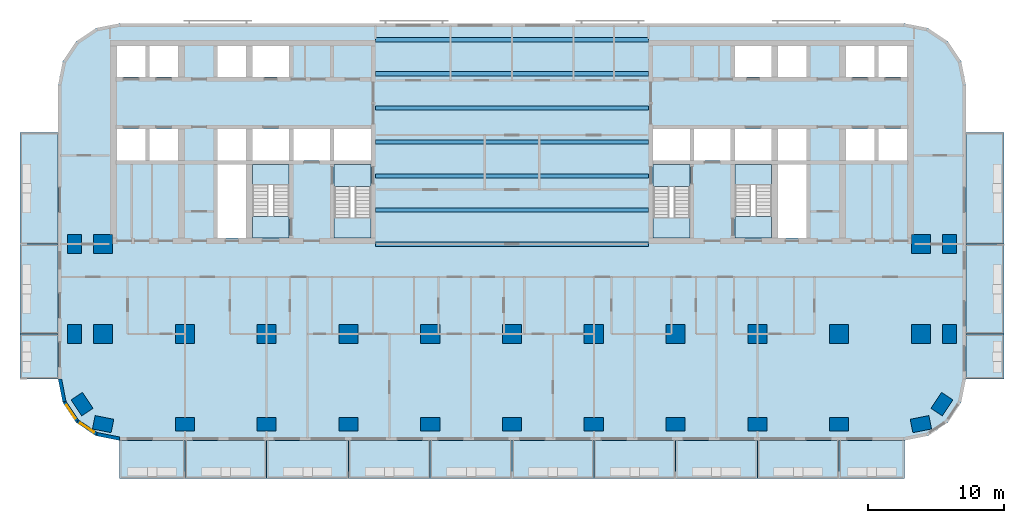
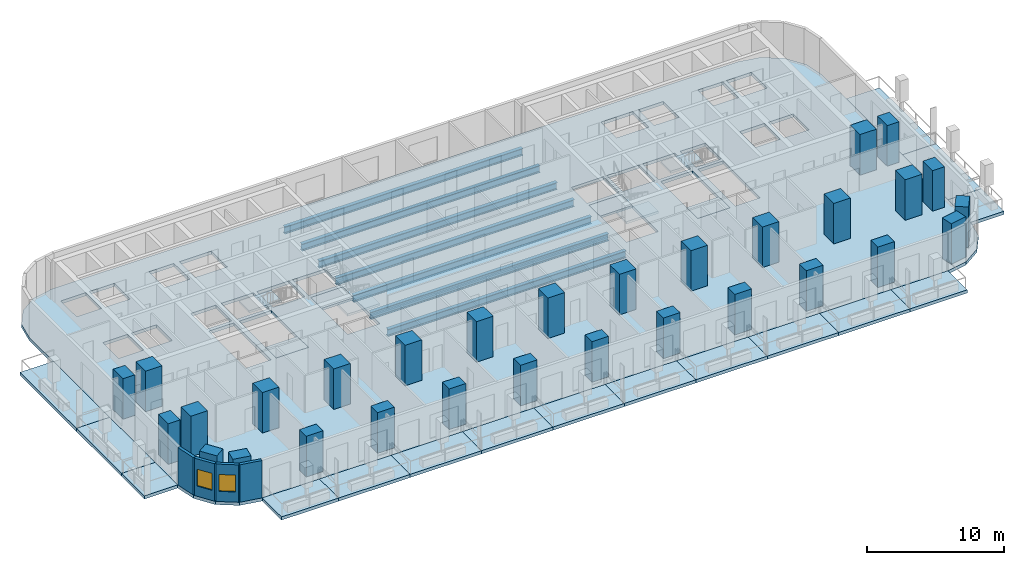
# One storey, part 1 of 14: 30 columns, 25 slabs, 7 beams, 4 walls, 2 windows, 2 openings, 4 elements without a shape of their own.
"""IFC4 building model written with IfcOpenShell, lengths in metres."""

import ifcopenshell
import ifcopenshell.guid

model = None  # the IFC model being written
_history = None  # IfcOwnerHistory: only IFC2X3 demands one
_inside = {}  # id of a spatial element -> (the spatial element, [elements in it])
_under = {}  # id of a project, library or spatial element -> (it, [spatial elements below it])
_declared = {}  # id of a project -> (the project, [libraries it declares])
_typed = {}  # id of a type object -> (the type object, [elements of that type])
_made_of = {}  # id of a material, layer set ... -> (it, [elements and type objects made of it])


def new_model(schema):
    """Start an empty IFC model of exactly this schema.

    Asked for "IFC4X3", IfcOpenShell would pick the latest addendum, in which some entities
    have other attributes; the version numbers below select the first issue.
    IFC2X3 requires an IfcOwnerHistory on every rooted entity: one is made here for all.
    """
    global model, _history
    if schema == "IFC4X3":
        model = ifcopenshell.file(schema_version=(4, 3, 0, 0))
    else:
        model = ifcopenshell.file(schema=schema)
    _inside.clear()
    _under.clear()
    _declared.clear()
    _typed.clear()
    _made_of.clear()
    _history = None
    if model.schema == "IFC2X3":
        org = make("IfcOrganization", Name="unknown")
        user = make(
            "IfcPersonAndOrganization",
            ThePerson=make("IfcPerson", FamilyName="unknown"),
            TheOrganization=org,
        )
        app = make(
            "IfcApplication",
            ApplicationDeveloper=org,
            Version="unknown",
            ApplicationFullName="unknown",
            ApplicationIdentifier="unknown",
        )
        _history = make(
            "IfcOwnerHistory",
            OwningUser=user,
            OwningApplication=app,
            ChangeAction="ADDED",
            CreationDate=0,
        )
    return model


def make(cls, **values):
    """One entity of the class cls with the attributes given. An attribute that is None is left unset."""
    return model.create_entity(
        cls, **{name: value for name, value in values.items() if value is not None}
    )


def rooted(cls, **values):
    """An entity with a GlobalId (a new one), such as an element, a storey or a relation."""
    return make(cls, GlobalId=ifcopenshell.guid.new(), OwnerHistory=_history, **values)


def si_unit(unit_type, name, prefix=None):
    """IfcSIUnit, for example si_unit("LENGTHUNIT", "METRE", prefix="MILLI")."""
    return make("IfcSIUnit", UnitType=unit_type, Prefix=prefix, Name=name)


def assignment(units):
    """IfcUnitAssignment: the units of a project."""
    return None if units is None else make("IfcUnitAssignment", Units=units)


def point(xyz):
    """IfcCartesianPoint."""
    return None if xyz is None else make("IfcCartesianPoint", Coordinates=xyz)


def direction(xyz):
    """IfcDirection."""
    return None if xyz is None else make("IfcDirection", DirectionRatios=xyz)


def frame(location, z_axis=None, x_axis=None):
    """IfcAxis2Placement3D, a coordinate frame: its origin and axes. An axis left out is left unset."""
    return make(
        "IfcAxis2Placement3D",
        Location=point(location),
        Axis=direction(z_axis),
        RefDirection=direction(x_axis),
    )


def frame_2d(location, x_axis=None):
    """IfcAxis2Placement2D, a coordinate frame in the plane: its origin and x axis."""
    return make(
        "IfcAxis2Placement2D", Location=point(location), RefDirection=direction(x_axis)
    )


def origin():
    """The frame at (0, 0, 0) with its axes left unset."""
    return frame((0.0, 0.0, 0.0))


def origin_2d():
    """The frame at (0, 0) in the plane with its x axis left unset."""
    return frame_2d((0.0, 0.0))


def place(relative_to, where):
    """IfcLocalPlacement: puts the frame where relative to a parent placement (None: the world)."""
    return make(
        "IfcLocalPlacement", PlacementRelTo=relative_to, RelativePlacement=where
    )


def context(
    kind, dimensions, precision=None, world=None, true_north=None, identifier=None
):
    """IfcGeometricRepresentationContext, for example the 3D "Model" context."""
    return make(
        "IfcGeometricRepresentationContext",
        ContextIdentifier=identifier,
        ContextType=kind,
        CoordinateSpaceDimension=dimensions,
        Precision=precision,
        WorldCoordinateSystem=world,
        TrueNorth=true_north,
    )


def subcontext(parent, identifier, kind, view, scale=None):
    """IfcGeometricRepresentationSubContext, for example "Body" below "Model"."""
    return make(
        "IfcGeometricRepresentationSubContext",
        ContextIdentifier=identifier,
        ContextType=kind,
        ParentContext=parent,
        TargetScale=scale,
        TargetView=view,
    )


def project(units=None, contexts=None):
    """IfcProject with its units and contexts."""
    return rooted(
        "IfcProject",
        Name="project",
        RepresentationContexts=contexts,
        UnitsInContext=assignment(units),
    )


def spatial(cls, under=None, at=None, **own):
    """A site, building, storey or space (cls), placed at a placement, below another one or the project."""
    s = rooted(cls, ObjectPlacement=at, **own)
    if under is not None:
        _under.setdefault(under.id(), (under, []))[1].append(s)
    return s


def polyline(points):
    """IfcPolyline through the points."""
    return make("IfcPolyline", Points=[point(p) for p in points])


def profile(cls, at=None, kind="AREA", **sizes):
    """A parametric profile (cls). Its sizes go by their IFC names, for example OverallWidth=200.0."""
    return make(cls, ProfileType=kind, Position=at, **sizes)


def rectangle(**sizes):
    """IfcRectangleProfileDef."""
    return profile("IfcRectangleProfileDef", **sizes)


def i_section(**sizes):
    """IfcIShapeProfileDef."""
    return profile("IfcIShapeProfileDef", **sizes)


def outline(outer, holes=None, kind="AREA"):
    """IfcArbitraryClosedProfileDef: a profile drawn as a closed curve; with holes, ...WithVoids."""
    if holes is None:
        return make("IfcArbitraryClosedProfileDef", ProfileType=kind, OuterCurve=outer)
    return make(
        "IfcArbitraryProfileDefWithVoids",
        ProfileType=kind,
        OuterCurve=outer,
        InnerCurves=holes,
    )


def extrude(swept, where, along, depth):
    """IfcExtrudedAreaSolid: the profile swept, set in the frame where, extruded along a direction by depth."""
    return make(
        "IfcExtrudedAreaSolid",
        SweptArea=swept,
        Position=where,
        ExtrudedDirection=direction(along),
        Depth=depth,
    )


def shape(context_of_items, identifier, shape_type, items):
    """IfcShapeRepresentation: the items that make up one representation, for example the "Body"."""
    return make(
        "IfcShapeRepresentation",
        ContextOfItems=context_of_items,
        RepresentationIdentifier=identifier,
        RepresentationType=shape_type,
        Items=items,
    )


def material(Name=None, Category=None):
    """IfcMaterial."""
    return make("IfcMaterial", Name=Name, Category=Category)


def layer(
    of_material, thickness, ventilated=None, Name=None, Category=None, Priority=None
):
    """IfcMaterialLayer: one layer of a wall or slab, of a material (None: an air gap)."""
    return make(
        "IfcMaterialLayer",
        Material=of_material,
        LayerThickness=thickness,
        IsVentilated=ventilated,
        Name=Name,
        Category=Category,
        Priority=Priority,
    )


def layer_set(layers, Name=None):
    """IfcMaterialLayerSet."""
    return make("IfcMaterialLayerSet", MaterialLayers=layers, LayerSetName=Name)


def material_profile(
    of_material, cross_section, Name=None, Category=None, Priority=None
):
    """IfcMaterialProfile: a cross section and its material."""
    return make(
        "IfcMaterialProfile",
        Name=Name,
        Material=of_material,
        Profile=cross_section,
        Priority=Priority,
        Category=Category,
    )


def profile_set(profiles, Name=None, composite=None):
    """IfcMaterialProfileSet."""
    return make(
        "IfcMaterialProfileSet",
        Name=Name,
        MaterialProfiles=profiles,
        CompositeProfile=composite,
    )


def made_of(thing, what):
    """Note that an element or type object is made of a material, layer set ...; save() writes the relation."""
    if what is not None:
        _made_of.setdefault(what.id(), (what, []))[1].append(thing)
    return thing


def type_object(cls, material=None, **own):
    """A type object (cls), such as IfcWallType, which elements share."""
    return made_of(rooted(cls, **own), material)


def element(
    cls,
    number,
    at=None,
    inside=None,
    cuts=None,
    type_object=None,
    material=None,
    context=None,
    identifier="Body",
    shape_type=None,
    held_by="IfcProductDefinitionShape",
    body=None,
    shapes=None,
    **own,
):
    """One element of the class cls, such as IfcWall. Its Tag is "e" and its number.

    at: its placement. inside: the storey or other place that contains it. cuts: it is an
    opening in that element (IfcRelVoidsElement). A single representation is given by context,
    identifier, shape_type and body (its items); several are given by shapes. held_by: the class
    of the entity that holds the representations. save() writes the other relations.
    """
    e = rooted(cls, Tag="e%d" % number, ObjectPlacement=at, **own)
    if body is not None:
        shapes = [shape(context, identifier, shape_type, body)]
    if shapes is not None:
        e.Representation = make(held_by, Representations=shapes)
    if inside is not None:
        _inside.setdefault(inside.id(), (inside, []))[1].append(e)
    if cuts is not None:
        rooted(
            "IfcRelVoidsElement", RelatingBuildingElement=cuts, RelatedOpeningElement=e
        )
    if type_object is not None:
        _typed.setdefault(type_object.id(), (type_object, []))[1].append(e)
    return made_of(e, material)


def fill(opening, filler):
    """IfcRelFillsElement: the door or window that sits in an opening."""
    return rooted(
        "IfcRelFillsElement",
        RelatingOpeningElement=opening,
        RelatedBuildingElement=filler,
    )


def aggregate(whole, parts):
    """IfcRelAggregates: a whole, such as a stair, and the parts it consists of."""
    return rooted("IfcRelAggregates", RelatingObject=whole, RelatedObjects=parts)


def save(model, path):
    """Write the relations noted so far, then the file.

    IfcRelAggregates (storeys below a building ...), IfcRelContainedInSpatialStructure (elements
    in a storey), IfcRelDefinesByType, IfcRelAssociatesMaterial and IfcRelDeclares: one each for
    every whole, place, type object, material and project.
    """
    for whole, parts in _under.values():
        aggregate(whole, parts)
    for where, things in _inside.values():
        rooted(
            "IfcRelContainedInSpatialStructure",
            RelatedElements=things,
            RelatingStructure=where,
        )
    for kind, things in _typed.values():
        rooted("IfcRelDefinesByType", RelatedObjects=things, RelatingType=kind)
    for what, things in _made_of.values():
        rooted("IfcRelAssociatesMaterial", RelatedObjects=things, RelatingMaterial=what)
    for by, libraries in _declared.values():
        rooted("IfcRelDeclares", RelatingContext=by, RelatedDefinitions=libraries)
    model.write(path)


model = new_model("IFC4")

# Units and contexts
model_context = context("Model", 3, precision=1e-05, world=origin(), true_north=direction((0.0, 1.0)))
body_context = subcontext(model_context, "Body", "Model", "MODEL_VIEW")
ifc_project = project(units=[si_unit("LENGTHUNIT", "METRE"), si_unit("AREAUNIT", "SQUARE_METRE"), si_unit("VOLUMEUNIT", "CUBIC_METRE"), si_unit("PLANEANGLEUNIT", "RADIAN"), si_unit("MASSUNIT", "GRAM", prefix="KILO")], contexts=[model_context])

# Site, building, storey
site_placement = place(None, origin())
site = spatial("IfcSite", under=ifc_project, at=site_placement, CompositionType="ELEMENT")
building_placement = place(site_placement, origin())
building = spatial("IfcBuilding", under=site, at=building_placement, Name="Torana Hotel and Residences", CompositionType="ELEMENT")
storey_placement = place(building_placement, frame((0.0, 0.0, 85.199951171875)))
storey = spatial("IfcBuildingStorey", under=building, at=storey_placement, Name="L21", CompositionType="ELEMENT", Elevation=85.199951171875)

# Columns
ifc_material_1 = material(Name="Concrete C70/85", Category="concrete")
ifc_material_profile_1 = material_profile(ifc_material_1, rectangle(XDim=1.39990234375, YDim=1.0, at=origin_2d()), Name="RC 1400x1000")
ifc_profile_set_1 = profile_set([ifc_material_profile_1], Name="Concrete C70/85")
column_type_1 = type_object("IfcColumnType", Name="COLUMN RC 1400x1000 C70/85", PredefinedType="COLUMN", material=ifc_profile_set_1)
for number, where, z_axis, x_axis, name in (
    (1, (-32.10009765625, -21.60009765625, 0.0), (0.0, 0.0, 1.0), (0.0, 1.0, 0.0), "Column L21"),
    (2, (-32.10009765625, -15.0, 0.0), (0.0, 0.0, 1.0), (0.0, 1.0, 0.0), "Column L21"),
    (3, (-31.5439453125, -26.73291015625, 0.0), (0.0, 0.0, 1.0), (-0.555584744817, 0.831459915646, 0.0), "Column L21"),
    (4, (-30.0, -28.199951171875, 0.0), (0.0, 0.0, 1.0), (-0.980792089743, 0.195056086032, 0.0), "Column L21"),
    (5, (-24.0, -28.199951171875, 0.0), (0.0, 0.0, 1.0), (1.0, 0.0, 0.0), "Column L21"),
    (6, (-18.0, -28.199951171875, 0.0), (0.0, 0.0, 1.0), (1.0, 0.0, 0.0), "Column L21"),
    (7, (-12.0, -28.199951171875, 0.0), (0.0, 0.0, 1.0), (1.0, 0.0, 0.0), "Column L21"),
    (8, (-6.0, -28.199951171875, 0.0), (0.0, 0.0, 1.0), (1.0, 0.0, 0.0), "Column L21"),
    (9, (0.0, -28.199951171875, 0.0), (0.0, 0.0, 1.0), (1.0, 0.0, 0.0), "Column L21"),
    (10, (6.0, -28.199951171875, 0.0), (0.0, 0.0, 1.0), (1.0, 0.0, 0.0), "Column L21"),
    (11, (12.0, -28.199951171875, 0.0), (0.0, 0.0, 1.0), (1.0, 0.0, 0.0), "Column L21"),
    (12, (18.0, -28.199951171875, 0.0), (0.0, 0.0, 1.0), (1.0, 0.0, 0.0), "Column L21"),
    (13, (24.0, -28.199951171875, 0.0), (0.0, 0.0, 1.0), (1.0, 0.0, 0.0), "Column L21"),
    (14, (30.0, -28.199951171875, 0.0), (0.0, 0.0, 1.0), (0.980792089743, 0.195056086032, 0.0), "Column L21"),
    (15, (31.5439453125, -26.73291015625, 0.0), (0.0, 0.0, 1.0), (0.555584744817, 0.831459915646, 0.0), "Column L21"),
    (16, (32.10009765625, -21.60009765625, 0.0), (0.0, 0.0, 1.0), (0.0, 1.0, 0.0), "Column L21"),
    (17, (32.10009765625, -15.0, 0.0), (0.0, 0.0, 1.0), (0.0, 1.0, 0.0), "Column L21"),
):
    element("IfcColumn", number, at=place(storey_placement, frame(where, z_axis=z_axis, x_axis=x_axis)), inside=storey, type_object=column_type_1, Name=name, PredefinedType="COLUMN", context=body_context, shape_type="SweptSolid", body=[
        extrude(rectangle(XDim=1.39990234375, YDim=1.0, at=origin_2d()), origin(), (0.0, 0.0, 1.0), 3.60009765625),
    ])
ifc_material_2 = material(Name="Concrete C70/85", Category="concrete")
ifc_material_profile_2 = material_profile(ifc_material_2, rectangle(XDim=1.39990234375, YDim=1.39990234375, at=origin_2d()), Name="RC 1400x1400")
ifc_profile_set_2 = profile_set([ifc_material_profile_2], Name="Concrete C70/85")
column_type_2 = type_object("IfcColumnType", Name="COLUMN RC 1400x1400 C70/85", PredefinedType="COLUMN", material=ifc_profile_set_2)
for number, where, z_axis, x_axis, name in (
    (18, (-30.0, -21.60009765625, 0.0), (0.0, 0.0, 1.0), (1.0, 0.0, 0.0), "Column L21"),
    (19, (-30.0, -15.0, 0.0), (0.0, 0.0, 1.0), (1.0, 0.0, 0.0), "Column L21"),
    (20, (-24.0, -21.60009765625, 0.0), (0.0, 0.0, 1.0), (1.0, 0.0, 0.0), "Column L21"),
    (21, (-18.0, -21.60009765625, 0.0), (0.0, 0.0, 1.0), (1.0, 0.0, 0.0), "Column L21"),
    (22, (-12.0, -21.60009765625, 0.0), (0.0, 0.0, 1.0), (1.0, 0.0, 0.0), "Column L21"),
    (23, (-6.0, -21.60009765625, 0.0), (0.0, 0.0, 1.0), (1.0, 0.0, 0.0), "Column L21"),
    (24, (0.0, -21.60009765625, 0.0), (0.0, 0.0, 1.0), (1.0, 0.0, 0.0), "Column L21"),
    (25, (6.0, -21.60009765625, 0.0), (0.0, 0.0, 1.0), (1.0, 0.0, 0.0), "Column L21"),
    (26, (12.0, -21.60009765625, 0.0), (0.0, 0.0, 1.0), (1.0, 0.0, 0.0), "Column L21"),
    (27, (18.0, -21.60009765625, 0.0), (0.0, 0.0, 1.0), (1.0, 0.0, 0.0), "Column L21"),
    (28, (24.0, -21.60009765625, 0.0), (0.0, 0.0, 1.0), (1.0, 0.0, 0.0), "Column L21"),
    (29, (30.0, -21.60009765625, 0.0), (0.0, 0.0, 1.0), (1.0, 0.0, 0.0), "Column L21"),
    (30, (30.0, -15.0, 0.0), (0.0, 0.0, 1.0), (1.0, 0.0, 0.0), "Column L21"),
):
    element("IfcColumn", number, at=place(storey_placement, frame(where, z_axis=z_axis, x_axis=x_axis)), inside=storey, type_object=column_type_2, Name=name, PredefinedType="COLUMN", context=body_context, shape_type="SweptSolid", body=[
        extrude(rectangle(XDim=1.39990234375, YDim=1.39990234375, at=origin_2d()), origin(), (0.0, 0.0, 1.0), 3.60009765625),
    ])

# Beams
ifc_material_3 = material(Name="Steel S355", Category="steel")
ifc_material_profile_3 = material_profile(ifc_material_3, i_section(OverallWidth=0.311279296875, OverallDepth=0.6357421875, WebThickness=0.018310546875, FlangeThickness=0.031494140625, FilletRadius=0.0166015625, at=origin_2d()), Name="610x305x238 UB")
ifc_profile_set_3 = profile_set([ifc_material_profile_3], Name="Steel S355")
beam_type = type_object("IfcBeamType", Name="STEEL GIRDER 610x305x238 UB", PredefinedType="BEAM", material=ifc_profile_set_3)
for number, where, z_axis, x_axis, name in (
    (31, (-10.0, -15.0, -0.597900390625), (1.0, 0.0, 0.0), (0.0, 1.0, 0.0), "Floor girder"),
    (32, (-10.0, -12.5, -0.597900390625), (1.0, 0.0, 0.0), (0.0, 1.0, 0.0), "Floor girder"),
    (33, (-10.0, -10.0, -0.597900390625), (1.0, 0.0, 0.0), (0.0, 1.0, 0.0), "Floor girder"),
    (34, (-10.0, -7.5, -0.597900390625), (1.0, 0.0, 0.0), (0.0, 1.0, 0.0), "Floor girder"),
    (35, (-10.0, -5.0, -0.597900390625), (1.0, 0.0, 0.0), (0.0, 1.0, 0.0), "Floor girder"),
    (36, (-10.0, -2.5, -0.597900390625), (1.0, 0.0, 0.0), (0.0, 1.0, 0.0), "Floor girder"),
    (37, (-10.0, 0.0, -0.597900390625), (1.0, 0.0, 0.0), (0.0, 1.0, 0.0), "Floor girder"),
):
    element("IfcBeam", number, at=place(storey_placement, frame(where, z_axis=z_axis, x_axis=x_axis)), inside=storey, type_object=beam_type, Name=name, PredefinedType="BEAM", context=body_context, shape_type="SweptSolid", body=[
        extrude(i_section(OverallWidth=0.311279296875, OverallDepth=0.6357421875, WebThickness=0.018310546875, FlangeThickness=0.031494140625, FilletRadius=0.0166015625, at=origin_2d()), origin(), (0.0, 0.0, 1.0), 20.0),
    ])

# Slabs
ifc_material_4 = material(Name="Concrete C40/50", Category="concrete")
ifc_layer_1 = layer(ifc_material_4, 0.280029296875)
ifc_layer_set_1 = layer_set([ifc_layer_1], Name="BAL1 BALCONY SLAB 280")
slab_type_1 = type_object("IfcSlabType", Name="BAL1 BALCONY SLAB 280", PredefinedType="USERDEFINED", material=ifc_layer_set_1)
slab_1_placement = place(storey_placement, frame((0.0, 0.0, -0.280029296875)))
element("IfcSlab", 38, at=slab_1_placement, inside=storey, type_object=slab_type_1, Name="Balcony 01", ObjectType="BALCONY", PredefinedType="USERDEFINED", context=body_context, shape_type="SweptSolid", body=[
    extrude(outline(polyline([(-28.800048828125, -32.199951171875), (-24.0, -32.199951171875), (-24.0, -29.39990234375), (-28.800048828125, -29.39990234375), (-28.800048828125, -32.199951171875)])), origin(), (0.0, 0.0, 1.0), 0.280029296875),
])
slab_2_placement = place(storey_placement, frame((0.0, 0.0, -0.280029296875)))
element("IfcSlab", 39, at=slab_2_placement, inside=storey, type_object=slab_type_1, Name="Balcony 02", ObjectType="BALCONY", PredefinedType="USERDEFINED", context=body_context, shape_type="SweptSolid", body=[
    extrude(outline(polyline([(-24.0, -32.199951171875), (-18.0, -32.199951171875), (-18.0, -29.39990234375), (-24.0, -29.39990234375), (-24.0, -32.199951171875)])), origin(), (0.0, 0.0, 1.0), 0.280029296875),
])
slab_3_placement = place(storey_placement, frame((0.0, 0.0, -0.280029296875)))
element("IfcSlab", 40, at=slab_3_placement, inside=storey, type_object=slab_type_1, Name="Balcony 03", ObjectType="BALCONY", PredefinedType="USERDEFINED", context=body_context, shape_type="SweptSolid", body=[
    extrude(outline(polyline([(-18.0, -32.199951171875), (-12.0, -32.199951171875), (-12.0, -29.39990234375), (-18.0, -29.39990234375), (-18.0, -32.199951171875)])), origin(), (0.0, 0.0, 1.0), 0.280029296875),
])
slab_4_placement = place(storey_placement, frame((0.0, 0.0, -0.280029296875)))
element("IfcSlab", 41, at=slab_4_placement, inside=storey, type_object=slab_type_1, Name="Balcony 04", ObjectType="BALCONY", PredefinedType="USERDEFINED", context=body_context, shape_type="SweptSolid", body=[
    extrude(outline(polyline([(-12.0, -32.199951171875), (-6.0, -32.199951171875), (-6.0, -29.39990234375), (-12.0, -29.39990234375), (-12.0, -32.199951171875)])), origin(), (0.0, 0.0, 1.0), 0.280029296875),
])
slab_5_placement = place(storey_placement, frame((0.0, 0.0, -0.280029296875)))
element("IfcSlab", 42, at=slab_5_placement, inside=storey, type_object=slab_type_1, Name="Balcony 05", ObjectType="BALCONY", PredefinedType="USERDEFINED", context=body_context, shape_type="SweptSolid", body=[
    extrude(outline(polyline([(-6.0, -32.199951171875), (0.0, -32.199951171875), (0.0, -29.39990234375), (-6.0, -29.39990234375), (-6.0, -32.199951171875)])), origin(), (0.0, 0.0, 1.0), 0.280029296875),
])
slab_6_placement = place(storey_placement, frame((0.0, 0.0, -0.280029296875)))
element("IfcSlab", 43, at=slab_6_placement, inside=storey, type_object=slab_type_1, Name="Balcony 06", ObjectType="BALCONY", PredefinedType="USERDEFINED", context=body_context, shape_type="SweptSolid", body=[
    extrude(outline(polyline([(0.0, -32.199951171875), (6.0, -32.199951171875), (6.0, -29.39990234375), (0.0, -29.39990234375), (0.0, -32.199951171875)])), origin(), (0.0, 0.0, 1.0), 0.280029296875),
])
slab_7_placement = place(storey_placement, frame((0.0, 0.0, -0.280029296875)))
element("IfcSlab", 44, at=slab_7_placement, inside=storey, type_object=slab_type_1, Name="Balcony 07", ObjectType="BALCONY", PredefinedType="USERDEFINED", context=body_context, shape_type="SweptSolid", body=[
    extrude(outline(polyline([(6.0, -32.199951171875), (12.0, -32.199951171875), (12.0, -29.39990234375), (6.0, -29.39990234375), (6.0, -32.199951171875)])), origin(), (0.0, 0.0, 1.0), 0.280029296875),
])
slab_8_placement = place(storey_placement, frame((0.0, 0.0, -0.280029296875)))
element("IfcSlab", 45, at=slab_8_placement, inside=storey, type_object=slab_type_1, Name="Balcony 08", ObjectType="BALCONY", PredefinedType="USERDEFINED", context=body_context, shape_type="SweptSolid", body=[
    extrude(outline(polyline([(12.0, -32.199951171875), (18.0, -32.199951171875), (18.0, -29.39990234375), (12.0, -29.39990234375), (12.0, -32.199951171875)])), origin(), (0.0, 0.0, 1.0), 0.280029296875),
])
slab_9_placement = place(storey_placement, frame((0.0, 0.0, -0.280029296875)))
element("IfcSlab", 46, at=slab_9_placement, inside=storey, type_object=slab_type_1, Name="Balcony 09", ObjectType="BALCONY", PredefinedType="USERDEFINED", context=body_context, shape_type="SweptSolid", body=[
    extrude(outline(polyline([(18.0, -32.199951171875), (24.0, -32.199951171875), (24.0, -29.39990234375), (18.0, -29.39990234375), (18.0, -32.199951171875)])), origin(), (0.0, 0.0, 1.0), 0.280029296875),
])
slab_10_placement = place(storey_placement, frame((0.0, 0.0, -0.280029296875)))
element("IfcSlab", 47, at=slab_10_placement, inside=storey, type_object=slab_type_1, Name="Balcony 10", ObjectType="BALCONY", PredefinedType="USERDEFINED", context=body_context, shape_type="SweptSolid", body=[
    extrude(outline(polyline([(24.0, -32.199951171875), (28.800048828125, -32.199951171875), (28.800048828125, -29.39990234375), (24.0, -29.39990234375), (24.0, -32.199951171875)])), origin(), (0.0, 0.0, 1.0), 0.280029296875),
])
slab_11_placement = place(storey_placement, frame((0.0, 0.0, -0.280029296875)))
element("IfcSlab", 48, at=slab_11_placement, inside=storey, type_object=slab_type_1, Name="Balcony 11", ObjectType="BALCONY", PredefinedType="USERDEFINED", context=body_context, shape_type="SweptSolid", body=[
    extrude(outline(polyline([(-36.10009765625, -24.89990234375), (-33.300048828125, -24.89990234375), (-33.300048828125, -21.60009765625), (-36.10009765625, -21.60009765625), (-36.10009765625, -24.89990234375)])), origin(), (0.0, 0.0, 1.0), 0.280029296875),
])
slab_12_placement = place(storey_placement, frame((0.0, 0.0, -0.280029296875)))
element("IfcSlab", 49, at=slab_12_placement, inside=storey, type_object=slab_type_1, Name="Balcony 12", ObjectType="BALCONY", PredefinedType="USERDEFINED", context=body_context, shape_type="SweptSolid", body=[
    extrude(outline(polyline([(-36.10009765625, -21.60009765625), (-33.300048828125, -21.60009765625), (-33.300048828125, -15.0), (-36.10009765625, -15.0), (-36.10009765625, -21.60009765625)])), origin(), (0.0, 0.0, 1.0), 0.280029296875),
])
slab_13_placement = place(storey_placement, frame((0.0, 0.0, -0.280029296875)))
element("IfcSlab", 50, at=slab_13_placement, inside=storey, type_object=slab_type_1, Name="Balcony 13", ObjectType="BALCONY", PredefinedType="USERDEFINED", context=body_context, shape_type="SweptSolid", body=[
    extrude(outline(polyline([(-36.10009765625, -15.0), (-33.300048828125, -15.0), (-33.300048828125, -6.800048828125), (-36.10009765625, -6.800048828125), (-36.10009765625, -15.0)])), origin(), (0.0, 0.0, 1.0), 0.280029296875),
])
slab_14_placement = place(storey_placement, frame((0.0, 0.0, -0.280029296875)))
element("IfcSlab", 51, at=slab_14_placement, inside=storey, type_object=slab_type_1, Name="Balcony 14", ObjectType="BALCONY", PredefinedType="USERDEFINED", context=body_context, shape_type="SweptSolid", body=[
    extrude(outline(polyline([(33.300048828125, -24.89990234375), (36.10009765625, -24.89990234375), (36.10009765625, -21.60009765625), (33.300048828125, -21.60009765625), (33.300048828125, -24.89990234375)])), origin(), (0.0, 0.0, 1.0), 0.280029296875),
])
slab_15_placement = place(storey_placement, frame((0.0, 0.0, -0.280029296875)))
element("IfcSlab", 52, at=slab_15_placement, inside=storey, type_object=slab_type_1, Name="Balcony 15", ObjectType="BALCONY", PredefinedType="USERDEFINED", context=body_context, shape_type="SweptSolid", body=[
    extrude(outline(polyline([(33.300048828125, -21.60009765625), (36.10009765625, -21.60009765625), (36.10009765625, -15.0), (33.300048828125, -15.0), (33.300048828125, -21.60009765625)])), origin(), (0.0, 0.0, 1.0), 0.280029296875),
])
slab_16_placement = place(storey_placement, frame((0.0, 0.0, -0.280029296875)))
element("IfcSlab", 53, at=slab_16_placement, inside=storey, type_object=slab_type_1, Name="Balcony 16", ObjectType="BALCONY", PredefinedType="USERDEFINED", context=body_context, shape_type="SweptSolid", body=[
    extrude(outline(polyline([(33.300048828125, -15.0), (36.10009765625, -15.0), (36.10009765625, -6.800048828125), (33.300048828125, -6.800048828125), (33.300048828125, -15.0)])), origin(), (0.0, 0.0, 1.0), 0.280029296875),
])
ifc_material_5 = material(Name="Concrete C40/50", Category="concrete")
ifc_layer_2 = layer(ifc_material_5, 0.280029296875)
ifc_layer_set_2 = layer_set([ifc_layer_2], Name="FLOOR SLAB PT 280")
slab_type_2 = type_object("IfcSlabType", Name="FLOOR SLAB PT 280", PredefinedType="FLOOR", material=ifc_layer_set_2)
slab_17_placement = place(storey_placement, frame((0.0, 0.0, -0.280029296875)))
element("IfcSlab", 54, at=slab_17_placement, inside=storey, type_object=slab_type_2, Name="Floor slab", PredefinedType="FLOOR", context=body_context, shape_type="SweptSolid", body=[
    extrude(outline(polyline([(33.300048828125, -3.300048828125), (32.95751953125, -1.577880859375), (31.98193359375, -0.117919921875), (30.522216796875, 0.857421875), (28.800048828125, 1.199951171875), (-28.800048828125, 1.199951171875), (-30.522216796875, 0.857421875), (-31.98193359375, -0.117919921875), (-32.95751953125, -1.577880859375), (-33.300048828125, -3.300048828125), (-33.300048828125, -24.89990234375), (-32.95751953125, -26.6220703125), (-31.98193359375, -28.08203125), (-30.522216796875, -29.0576171875), (-28.800048828125, -29.39990234375), (28.800048828125, -29.39990234375), (30.522216796875, -29.0576171875), (31.98193359375, -28.08203125), (32.95751953125, -26.6220703125), (33.300048828125, -24.89990234375), (33.300048828125, -3.300048828125)]), holes=[polyline([(-13.050048828125, -14.550048828125), (-10.35009765625, -14.550048828125), (-10.35009765625, -9.14990234375), (-13.050048828125, -9.14990234375), (-13.050048828125, -14.550048828125)]), polyline([(-19.050048828125, -14.550048828125), (-16.35009765625, -14.550048828125), (-16.35009765625, -9.14990234375), (-19.050048828125, -9.14990234375), (-19.050048828125, -14.550048828125)]), polyline([(-19.050048828125, -2.75), (-16.35009765625, -2.75), (-16.35009765625, -0.449951171875), (-19.050048828125, -0.449951171875), (-19.050048828125, -2.75)]), polyline([(-26.60009765625, -2.75), (-24.5, -2.75), (-24.5, -0.449951171875), (-26.60009765625, -0.449951171875), (-26.60009765625, -2.75)]), polyline([(-29.0, -2.75), (-26.89990234375, -2.75), (-26.89990234375, -0.449951171875), (-29.0, -0.449951171875), (-29.0, -2.75)]), polyline([(-26.60009765625, -8.85009765625), (-24.5, -8.85009765625), (-24.5, -6.550048828125), (-26.60009765625, -6.550048828125), (-26.60009765625, -8.85009765625)]), polyline([(-29.0, -8.85009765625), (-26.89990234375, -8.85009765625), (-26.89990234375, -6.550048828125), (-29.0, -6.550048828125), (-29.0, -8.85009765625)]), polyline([(-21.60009765625, -2.75), (-19.5, -2.75), (-19.5, -0.449951171875), (-21.60009765625, -0.449951171875), (-21.60009765625, -2.75)]), polyline([(-21.60009765625, -8.85009765625), (-19.5, -8.85009765625), (-19.5, -6.550048828125), (-21.60009765625, -6.550048828125), (-21.60009765625, -8.85009765625)]), polyline([(-13.050048828125, -8.85009765625), (-10.35009765625, -8.85009765625), (-10.35009765625, -6.550048828125), (-13.050048828125, -6.550048828125), (-13.050048828125, -8.85009765625)]), polyline([(-16.050048828125, -8.85009765625), (-13.35009765625, -8.85009765625), (-13.35009765625, -6.550048828125), (-16.050048828125, -6.550048828125), (-16.050048828125, -8.85009765625)]), polyline([(-19.050048828125, -8.85009765625), (-16.35009765625, -8.85009765625), (-16.35009765625, -6.550048828125), (-19.050048828125, -6.550048828125), (-19.050048828125, -8.85009765625)]), polyline([(-21.60009765625, -14.550048828125), (-19.5, -14.550048828125), (-19.5, -9.14990234375), (-21.60009765625, -9.14990234375), (-21.60009765625, -14.550048828125)]), polyline([(10.35009765625, -14.550048828125), (13.050048828125, -14.550048828125), (13.050048828125, -9.14990234375), (10.35009765625, -9.14990234375), (10.35009765625, -14.550048828125)]), polyline([(16.35009765625, -14.550048828125), (19.050048828125, -14.550048828125), (19.050048828125, -9.14990234375), (16.35009765625, -9.14990234375), (16.35009765625, -14.550048828125)]), polyline([(16.35009765625, -2.75), (19.050048828125, -2.75), (19.050048828125, -0.449951171875), (16.35009765625, -0.449951171875), (16.35009765625, -2.75)]), polyline([(24.5, -2.75), (26.60009765625, -2.75), (26.60009765625, -0.449951171875), (24.5, -0.449951171875), (24.5, -2.75)]), polyline([(26.89990234375, -2.75), (29.0, -2.75), (29.0, -0.449951171875), (26.89990234375, -0.449951171875), (26.89990234375, -2.75)]), polyline([(24.5, -8.85009765625), (26.60009765625, -8.85009765625), (26.60009765625, -6.550048828125), (24.5, -6.550048828125), (24.5, -8.85009765625)]), polyline([(26.89990234375, -8.85009765625), (29.0, -8.85009765625), (29.0, -6.550048828125), (26.89990234375, -6.550048828125), (26.89990234375, -8.85009765625)]), polyline([(19.5, -2.75), (21.60009765625, -2.75), (21.60009765625, -0.449951171875), (19.5, -0.449951171875), (19.5, -2.75)]), polyline([(19.5, -8.85009765625), (21.60009765625, -8.85009765625), (21.60009765625, -6.550048828125), (19.5, -6.550048828125), (19.5, -8.85009765625)]), polyline([(10.35009765625, -8.85009765625), (13.050048828125, -8.85009765625), (13.050048828125, -6.550048828125), (10.35009765625, -6.550048828125), (10.35009765625, -8.85009765625)]), polyline([(13.35009765625, -8.85009765625), (16.050048828125, -8.85009765625), (16.050048828125, -6.550048828125), (13.35009765625, -6.550048828125), (13.35009765625, -8.85009765625)]), polyline([(16.35009765625, -8.85009765625), (19.050048828125, -8.85009765625), (19.050048828125, -6.550048828125), (16.35009765625, -6.550048828125), (16.35009765625, -8.85009765625)]), polyline([(19.5, -14.550048828125), (21.60009765625, -14.550048828125), (21.60009765625, -9.14990234375), (19.5, -9.14990234375), (19.5, -14.550048828125)])]), origin(), (0.0, 0.0, 1.0), 0.280029296875),
])

# Stair, slabs
ifc_material_6 = material(Name="Concrete C40/50 precast", Category="concrete")
stair_type_1 = type_object("IfcStairType", Name="STAIR ST1 HALF TURN 1200", PredefinedType="HALF_TURN_STAIR", material=ifc_material_6)
stair_1_placement = place(storey_placement, origin())
stair_1 = element("IfcStair", 55, at=stair_1_placement, inside=storey, type_object=stair_type_1, Name="Stair ST1 L21", PredefinedType="HALF_TURN_STAIR")
ifc_material_7 = material(Name="Concrete C40/50 precast", Category="concrete")
ifc_layer_3 = layer(ifc_material_7, 0.199951171875)
ifc_layer_set_3 = layer_set([ifc_layer_3], Name="STAIR LANDING 200")
slab_type_3 = type_object("IfcSlabType", Name="STAIR LANDING 200", PredefinedType="LANDING", material=ifc_layer_set_3)
slab_18_placement = place(storey_placement, frame((0.0, 0.0, 1.60009765625)))
slab_18 = element("IfcSlab", 56, at=slab_18_placement, type_object=slab_type_3, Name="ST1 landing 1", PredefinedType="LANDING", context=body_context, shape_type="SweptSolid", body=[
    extrude(outline(polyline([(-13.050048828125, -14.550048828125), (-10.35009765625, -14.550048828125), (-10.35009765625, -13.090087890625), (-13.050048828125, -13.090087890625), (-13.050048828125, -14.550048828125)])), origin(), (0.0, 0.0, 1.0), 0.199951171875),
])
slab_19_placement = place(storey_placement, frame((0.0, 0.0, -0.199951171875)))
slab_19 = element("IfcSlab", 57, at=slab_19_placement, type_object=slab_type_3, Name="ST1 landing 2", PredefinedType="LANDING", context=body_context, shape_type="SweptSolid", body=[
    extrude(outline(polyline([(-13.050048828125, -10.75), (-10.35009765625, -10.75), (-10.35009765625, -9.14990234375), (-13.050048828125, -9.14990234375), (-13.050048828125, -10.75)])), origin(), (0.0, 0.0, 1.0), 0.199951171875),
])
aggregate(stair_1, [slab_18, slab_19])

ifc_material_8 = material(Name="Concrete C40/50 precast", Category="concrete")
stair_type_2 = type_object("IfcStairType", Name="STAIR ST2 HALF TURN 1200", PredefinedType="HALF_TURN_STAIR", material=ifc_material_8)
stair_2_placement = place(storey_placement, origin())
stair_2 = element("IfcStair", 58, at=stair_2_placement, inside=storey, type_object=stair_type_2, Name="Stair ST2 L21", PredefinedType="HALF_TURN_STAIR")
slab_20_placement = place(storey_placement, frame((0.0, 0.0, 1.60009765625)))
slab_20 = element("IfcSlab", 59, at=slab_20_placement, type_object=slab_type_3, Name="ST2 landing 1", PredefinedType="LANDING", context=body_context, shape_type="SweptSolid", body=[
    extrude(outline(polyline([(-19.050048828125, -10.610107421875), (-16.35009765625, -10.610107421875), (-16.35009765625, -9.14990234375), (-19.050048828125, -9.14990234375), (-19.050048828125, -10.610107421875)])), origin(), (0.0, 0.0, 1.0), 0.199951171875),
])
slab_21_placement = place(storey_placement, frame((0.0, 0.0, -0.199951171875)))
slab_21 = element("IfcSlab", 60, at=slab_21_placement, type_object=slab_type_3, Name="ST2 landing 2", PredefinedType="LANDING", context=body_context, shape_type="SweptSolid", body=[
    extrude(outline(polyline([(-19.050048828125, -14.550048828125), (-16.35009765625, -14.550048828125), (-16.35009765625, -12.949951171875), (-19.050048828125, -12.949951171875), (-19.050048828125, -14.550048828125)])), origin(), (0.0, 0.0, 1.0), 0.199951171875),
])
aggregate(stair_2, [slab_20, slab_21])

ifc_material_9 = material(Name="Concrete C40/50 precast", Category="concrete")
stair_type_3 = type_object("IfcStairType", Name="STAIR ST3 HALF TURN 1200", PredefinedType="HALF_TURN_STAIR", material=ifc_material_9)
stair_3_placement = place(storey_placement, origin())
stair_3 = element("IfcStair", 61, at=stair_3_placement, inside=storey, type_object=stair_type_3, Name="Stair ST3 L21", PredefinedType="HALF_TURN_STAIR")
slab_22_placement = place(storey_placement, frame((0.0, 0.0, 1.60009765625)))
slab_22 = element("IfcSlab", 62, at=slab_22_placement, type_object=slab_type_3, Name="ST3 landing 1", PredefinedType="LANDING", context=body_context, shape_type="SweptSolid", body=[
    extrude(outline(polyline([(10.35009765625, -14.550048828125), (13.050048828125, -14.550048828125), (13.050048828125, -13.090087890625), (10.35009765625, -13.090087890625), (10.35009765625, -14.550048828125)])), origin(), (0.0, 0.0, 1.0), 0.199951171875),
])
slab_23_placement = place(storey_placement, frame((0.0, 0.0, -0.199951171875)))
slab_23 = element("IfcSlab", 63, at=slab_23_placement, type_object=slab_type_3, Name="ST3 landing 2", PredefinedType="LANDING", context=body_context, shape_type="SweptSolid", body=[
    extrude(outline(polyline([(10.35009765625, -10.75), (13.050048828125, -10.75), (13.050048828125, -9.14990234375), (10.35009765625, -9.14990234375), (10.35009765625, -10.75)])), origin(), (0.0, 0.0, 1.0), 0.199951171875),
])
aggregate(stair_3, [slab_22, slab_23])

ifc_material_10 = material(Name="Concrete C40/50 precast", Category="concrete")
stair_type_4 = type_object("IfcStairType", Name="STAIR ST4 HALF TURN 1200", PredefinedType="HALF_TURN_STAIR", material=ifc_material_10)
stair_4_placement = place(storey_placement, origin())
stair_4 = element("IfcStair", 64, at=stair_4_placement, inside=storey, type_object=stair_type_4, Name="Stair ST4 L21", PredefinedType="HALF_TURN_STAIR")
slab_24_placement = place(storey_placement, frame((0.0, 0.0, 1.60009765625)))
slab_24 = element("IfcSlab", 65, at=slab_24_placement, type_object=slab_type_3, Name="ST4 landing 1", PredefinedType="LANDING", context=body_context, shape_type="SweptSolid", body=[
    extrude(outline(polyline([(16.35009765625, -10.610107421875), (19.050048828125, -10.610107421875), (19.050048828125, -9.14990234375), (16.35009765625, -9.14990234375), (16.35009765625, -10.610107421875)])), origin(), (0.0, 0.0, 1.0), 0.199951171875),
])
slab_25_placement = place(storey_placement, frame((0.0, 0.0, -0.199951171875)))
slab_25 = element("IfcSlab", 66, at=slab_25_placement, type_object=slab_type_3, Name="ST4 landing 2", PredefinedType="LANDING", context=body_context, shape_type="SweptSolid", body=[
    extrude(outline(polyline([(16.35009765625, -14.550048828125), (19.050048828125, -14.550048828125), (19.050048828125, -12.949951171875), (16.35009765625, -12.949951171875), (16.35009765625, -14.550048828125)])), origin(), (0.0, 0.0, 1.0), 0.199951171875),
])
aggregate(stair_4, [slab_24, slab_25])

# Wall
ifc_material_11 = material(Name="Black aluminium composite panel", Category="aluminium")
ifc_layer_4 = layer(ifc_material_11, 0.00390625, Name="Cladding", Category="cladding")
ifc_material_12 = material(Name="Ventilated air cavity")
ifc_layer_5 = layer(ifc_material_12, 0.0400390625, Name="Ventilated cavity", Category="cavity")
ifc_material_13 = material(Name="Mineral wool insulation")
ifc_layer_6 = layer(ifc_material_13, 0.090087890625, Name="Insulation", Category="insulation")
ifc_material_14 = material(Name="Steel S280GD", Category="steel")
ifc_layer_7 = layer(ifc_material_14, 0.092041015625, Name="Steel stud frame", Category="structure")
ifc_material_15 = material(Name="Fire rated plasterboard")
ifc_layer_8 = layer(ifc_material_15, 0.011962890625, Name="Inner board", Category="finish")
ifc_layer_9 = layer(ifc_material_15, 0.011962890625, Name="Second board", Category="finish")
ifc_layer_set_4 = layer_set([ifc_layer_4, ifc_layer_5, ifc_layer_6, ifc_layer_7, ifc_layer_8, ifc_layer_9], Name="EW1 EXTERNAL WALL BLACK METAL CLAD 250")
wall_type = type_object("IfcWallType", Name="EW1 EXTERNAL WALL BLACK METAL CLAD 250", PredefinedType="SOLIDWALL", material=ifc_layer_set_4)
wall_1_placement = place(storey_placement, frame((-33.172607421875, -24.89990234375, 0.0), z_axis=(0.0, 0.0, 1.0), x_axis=(0.195166572128, -0.980770110232, 0.0)))
element("IfcWall", 67, at=wall_1_placement, inside=storey, type_object=wall_type, Name="External wall L21 e0.10", PredefinedType="SOLIDWALL", context=body_context, shape_type="SweptSolid", body=[
    extrude(rectangle(XDim=1.68115234375, YDim=0.25, at=frame_2d((0.840576171875, 0.0))), origin(), (0.0, 0.0, 1.0), 3.320068359375),
])

# Wall, opening, window
wall_2_placement = place(storey_placement, frame((-32.825927734375, -26.593994140625, 0.0), z_axis=(0.0, 0.0, 1.0), x_axis=(0.55555029066, -0.831482937015, 0.0)))
wall_2 = element("IfcWall", 68, at=wall_2_placement, inside=storey, type_object=wall_type, Name="External wall L21 e0.11", PredefinedType="SOLIDWALL", context=body_context, shape_type="SweptSolid", body=[
    extrude(rectangle(XDim=1.65625, YDim=0.25, at=frame_2d((0.828125, 0.0))), origin(), (0.0, 0.0, 1.0), 3.320068359375),
])
opening_1_placement = place(wall_2_placement, frame((0.228271484375, 0.0, 0.89990234375)))
opening_1 = element("IfcOpeningElement", 69, at=opening_1_placement, cuts=wall_2, Name="Opening W5", PredefinedType="OPENING", context=body_context, shape_type="SweptSolid", body=[
    extrude(rectangle(XDim=1.199951171875, YDim=1.5, at=frame_2d((0.60009765625, 0.75))), frame((0.0, 0.135009765625, 0.0), z_axis=(0.0, -1.0, 0.0), x_axis=(1.0, 0.0, 0.0)), (0.0, 0.0, 1.0), 0.27001953125),
])
ifc_material_16 = material(Name="Dark glass in black aluminium frame", Category="aluminium")
window_type = type_object("IfcWindowType", Name="W5 CORNER FACET WINDOW 1200x1500", PartitioningType="SINGLE_PANEL", PredefinedType="WINDOW", material=ifc_material_16)
window_1_placement = place(opening_1_placement, origin())
window_1 = element("IfcWindow", 70, at=window_1_placement, inside=storey, type_object=window_type, Name="Window L21 e0.11", OverallHeight=1.5, OverallWidth=1.199951171875, PartitioningType="SINGLE_PANEL", PredefinedType="WINDOW", context=body_context, shape_type="SweptSolid", body=[
    extrude(rectangle(XDim=1.199951171875, YDim=1.5, at=frame_2d((0.60009765625, 0.75))), frame((0.0, 0.030029296875, 0.0), z_axis=(0.0, -1.0, 0.0), x_axis=(1.0, 0.0, 0.0)), (0.0, 0.0, 1.0), 0.06005859375),
])
fill(opening_1, window_1)

wall_3_placement = place(storey_placement, frame((-31.87109375, -28.005615234375, 0.0), z_axis=(0.0, 0.0, 1.0), x_axis=(0.831482937015, -0.55555029066, 0.0)))
wall_3 = element("IfcWall", 71, at=wall_3_placement, inside=storey, type_object=wall_type, Name="External wall L21 e0.12", PredefinedType="SOLIDWALL", context=body_context, shape_type="SweptSolid", body=[
    extrude(rectangle(XDim=1.65625, YDim=0.25, at=frame_2d((0.828125, 0.0))), origin(), (0.0, 0.0, 1.0), 3.320068359375),
])
opening_2_placement = place(wall_3_placement, frame((0.228271484375, 0.0, 0.89990234375)))
opening_2 = element("IfcOpeningElement", 72, at=opening_2_placement, cuts=wall_3, Name="Opening W5", PredefinedType="OPENING", context=body_context, shape_type="SweptSolid", body=[
    extrude(rectangle(XDim=1.199951171875, YDim=1.5, at=frame_2d((0.60009765625, 0.75))), frame((0.0, 0.135009765625, 0.0), z_axis=(0.0, -1.0, 0.0), x_axis=(1.0, 0.0, 0.0)), (0.0, 0.0, 1.0), 0.27001953125),
])
window_2_placement = place(opening_2_placement, origin())
window_2 = element("IfcWindow", 73, at=window_2_placement, inside=storey, type_object=window_type, Name="Window L21 e0.12", OverallHeight=1.5, OverallWidth=1.199951171875, PartitioningType="SINGLE_PANEL", PredefinedType="WINDOW", context=body_context, shape_type="SweptSolid", body=[
    extrude(rectangle(XDim=1.199951171875, YDim=1.5, at=frame_2d((0.60009765625, 0.75))), frame((0.0, 0.030029296875, 0.0), z_axis=(0.0, -1.0, 0.0), x_axis=(1.0, 0.0, 0.0)), (0.0, 0.0, 1.0), 0.06005859375),
])
fill(opening_2, window_2)

# Wall
wall_4_placement = place(storey_placement, frame((-30.448974609375, -28.944580078125, 0.0), z_axis=(0.0, 0.0, 1.0), x_axis=(0.980775640221, -0.19513878023, 0.0)))
element("IfcWall", 74, at=wall_4_placement, inside=storey, type_object=wall_type, Name="External wall L21 e0.13", PredefinedType="SOLIDWALL", context=body_context, shape_type="SweptSolid", body=[
    extrude(rectangle(XDim=1.681396484375, YDim=0.25, at=frame_2d((0.8408203125, 0.0))), origin(), (0.0, 0.0, 1.0), 3.320068359375),
])

save(model, "model.ifc")
